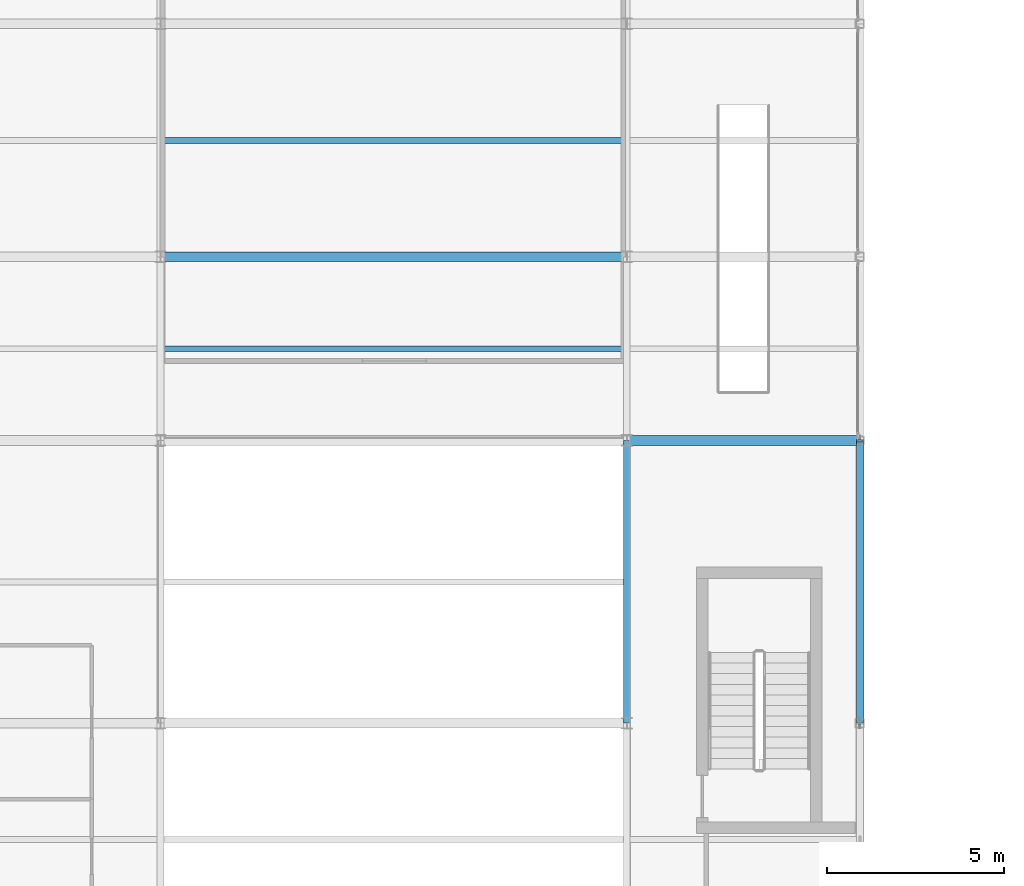
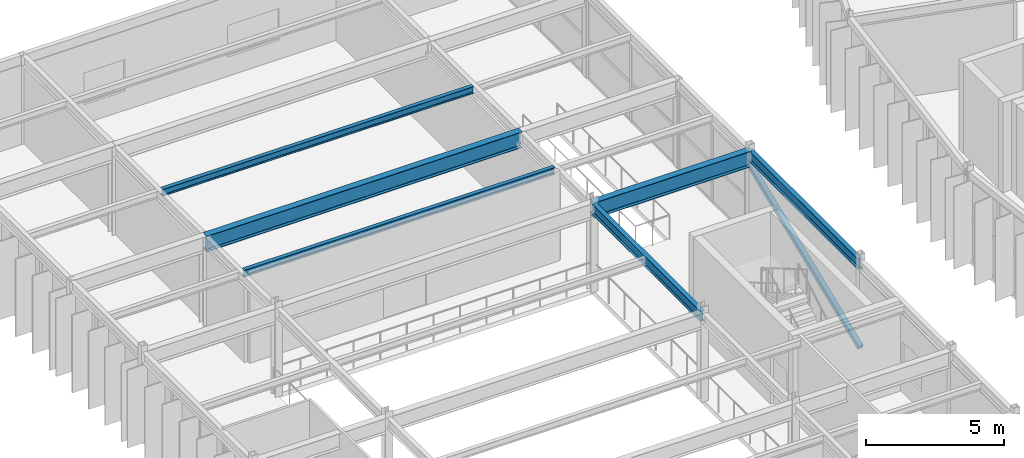
# One storey, part 47 of 157: 6 beams, 1 member.
"""IFC4 building model written with IfcOpenShell, lengths in metres."""

from ifc_helpers import new_model, si_unit, direction, frame, origin, origin_2d, place, context, subcontext, project, spatial, hollow_rectangle, i_section, extrude, material, material_profile, profile_set, type_object, element, save


model = new_model("IFC4")

# Units and contexts
model_context = context("Model", 3, precision=1e-05, world=origin(), true_north=direction((0.0, 1.0)))
body_context = subcontext(model_context, "Body", "Model", "MODEL_VIEW")
ifc_project = project(units=[si_unit("LENGTHUNIT", "METRE"), si_unit("AREAUNIT", "SQUARE_METRE"), si_unit("VOLUMEUNIT", "CUBIC_METRE"), si_unit("PLANEANGLEUNIT", "RADIAN"), si_unit("MASSUNIT", "GRAM", prefix="KILO")], contexts=[model_context])

# Site, building, storey
site_placement = place(None, origin())
site = spatial("IfcSite", under=ifc_project, at=site_placement, CompositionType="ELEMENT")
building_placement = place(site_placement, origin())
building = spatial("IfcBuilding", under=site, at=building_placement, Name="Karori Crest Natural Sciences Institute", CompositionType="ELEMENT")
storey_placement = place(building_placement, frame((0.0, 0.0, 13.300048828125)))
storey = spatial("IfcBuildingStorey", under=building, at=storey_placement, Name="L03", CompositionType="ELEMENT", Elevation=13.300048828125)

# Beams
ifc_material_1 = material(Name="Structural steel AS/NZS 3679.1 Grade 350", Category="steel")
ifc_material_profile_1 = material_profile(ifc_material_1, i_section(OverallWidth=0.27490234375, OverallDepth=0.699951171875, WebThickness=0.010009765625, FlangeThickness=0.02001953125, FilletRadius=0.013916015625, at=origin_2d()), Name="700WB150")
ifc_profile_set_1 = profile_set([ifc_material_profile_1], Name="Structural steel AS/NZS 3679.1 Grade 350")
beam_type_1 = type_object("IfcBeamType", Name="BT-03", PredefinedType="BEAM", material=ifc_profile_set_1)
beam_1_placement = place(storey_placement, frame((20.60009765625, 55.0, 3.570068359375), z_axis=(1.0, 0.0, 0.0), x_axis=(0.0, 1.0, 0.0)))
element("IfcBeam", 1, at=beam_1_placement, inside=storey, type_object=beam_type_1, Name="Beam B-1151", PredefinedType="BEAM", context=body_context, shape_type="SweptSolid", body=[
    extrude(i_section(OverallWidth=0.27490234375, OverallDepth=0.699951171875, WebThickness=0.010009765625, FlangeThickness=0.02001953125, FilletRadius=0.013916015625, at=origin_2d()), origin(), (0.0, 0.0, 1.0), 6.599853515625),
])
beam_2_placement = place(storey_placement, frame((7.39990234375, 60.199951171875, 3.570068359375), z_axis=(1.0, 0.0, 0.0), x_axis=(0.0, 1.0, 0.0)))
element("IfcBeam", 2, at=beam_2_placement, inside=storey, type_object=beam_type_1, Name="Beam B-1153", PredefinedType="BEAM", context=body_context, shape_type="SweptSolid", body=[
    extrude(i_section(OverallWidth=0.27490234375, OverallDepth=0.699951171875, WebThickness=0.010009765625, FlangeThickness=0.02001953125, FilletRadius=0.013916015625, at=origin_2d()), origin(), (0.0, 0.0, 1.0), 13.2001953125),
])
ifc_material_profile_2 = material_profile(ifc_material_1, i_section(OverallWidth=0.19091796875, OverallDepth=0.4599609375, WebThickness=0.010009765625, FlangeThickness=0.01611328125, FilletRadius=0.010986328125, at=origin_2d()), Name="460UB82.1")
ifc_profile_set_2 = profile_set([ifc_material_profile_2], Name="Structural steel AS/NZS 3679.1 Grade 350")
beam_type_2 = type_object("IfcBeamType", Name="BT-06", PredefinedType="BEAM", material=ifc_profile_set_2)
beam_3_placement = place(storey_placement, frame((20.60009765625, 47.0, 3.68994140625), z_axis=(0.0, 1.0, 0.0), x_axis=(-1.0, 0.0, 0.0)))
element("IfcBeam", 3, at=beam_3_placement, inside=storey, type_object=beam_type_2, Name="Beam B-1178", PredefinedType="BEAM", context=body_context, shape_type="SweptSolid", body=[
    extrude(i_section(OverallWidth=0.19091796875, OverallDepth=0.4599609375, WebThickness=0.010009765625, FlangeThickness=0.01611328125, FilletRadius=0.010986328125, at=origin_2d()), origin(), (0.0, 0.0, 1.0), 8.0),
])
ifc_material_profile_3 = material_profile(ifc_material_1, i_section(OverallWidth=0.19091796875, OverallDepth=0.4599609375, WebThickness=0.010009765625, FlangeThickness=0.01611328125, FilletRadius=0.010986328125, at=origin_2d()), Name="460UB82.1")
ifc_profile_set_3 = profile_set([ifc_material_profile_3], Name="Structural steel AS/NZS 3679.1 Grade 350")
beam_type_3 = type_object("IfcBeamType", Name="BT-06-EL", PredefinedType="BEAM", material=ifc_profile_set_3)
beam_4_placement = place(storey_placement, frame((27.199951171875, 47.0, 3.68994140625), z_axis=(0.0, 1.0, 0.0), x_axis=(-1.0, 0.0, 0.0)))
element("IfcBeam", 4, at=beam_4_placement, inside=storey, type_object=beam_type_3, Name="Beam B-1185", PredefinedType="BEAM", context=body_context, shape_type="SweptSolid", body=[
    extrude(i_section(OverallWidth=0.19091796875, OverallDepth=0.4599609375, WebThickness=0.010009765625, FlangeThickness=0.01611328125, FilletRadius=0.010986328125, at=origin_2d()), origin(), (0.0, 0.0, 1.0), 8.0),
])
ifc_material_profile_4 = material_profile(ifc_material_1, i_section(OverallWidth=0.166015625, OverallDepth=0.306884765625, WebThickness=0.006591796875, FlangeThickness=0.01171875, FilletRadius=0.010986328125, at=origin_2d()), Name="310UB46.2")
ifc_profile_set_4 = profile_set([ifc_material_profile_4], Name="Structural steel AS/NZS 3679.1 Grade 350")
beam_type_4 = type_object("IfcBeamType", Name="BT-09", PredefinedType="BEAM", material=ifc_profile_set_4)
for number, where, z_axis, x_axis, name in (
    (5, (7.49560546875, 57.60009765625, 3.766357421875), (1.0, 0.0, 0.0), (0.0, 1.0, 0.0), "Beam B-1198"),
    (6, (7.49560546875, 63.5, 3.766357421875), (1.0, 0.0, 0.0), (0.0, 1.0, 0.0), "Beam B-1199"),
):
    element("IfcBeam", number, at=place(storey_placement, frame(where, z_axis=z_axis, x_axis=x_axis)), inside=storey, type_object=beam_type_4, Name=name, PredefinedType="BEAM", context=body_context, shape_type="SweptSolid", body=[
        extrude(i_section(OverallWidth=0.166015625, OverallDepth=0.306884765625, WebThickness=0.006591796875, FlangeThickness=0.01171875, FilletRadius=0.010986328125, at=origin_2d()), origin(), (0.0, 0.0, 1.0), 13.0087890625),
    ])

# Member
ifc_material_2 = material(Name="Hollow structural steel AS/NZS 1163 Grade C350", Category="steel")
ifc_material_profile_5 = material_profile(ifc_material_2, hollow_rectangle(XDim=0.199951171875, YDim=0.199951171875, WallThickness=0.010009765625, at=origin_2d()), Name="SHS200x200x10")
ifc_profile_set_5 = profile_set([ifc_material_profile_5], Name="Hollow structural steel AS/NZS 1163 Grade C350")
member_type = type_object("IfcMemberType", Name="MT-04", PredefinedType="BRACE", material=ifc_profile_set_5)
member_placement = place(storey_placement, frame((27.199951171875, 47.0, 0.010009765625), z_axis=(0.0, 0.927675995403, 0.373386190899), x_axis=(-1.0, 0.0, 0.0)))
element("IfcMember", 7, at=member_placement, inside=storey, type_object=member_type, Name="Diagonal Brace M-0258", PredefinedType="BRACE", context=body_context, shape_type="SweptSolid", body=[
    extrude(hollow_rectangle(XDim=0.199951171875, YDim=0.199951171875, WallThickness=0.010009765625, at=origin_2d()), origin(), (0.0, 0.0, 1.0), 8.623779296875),
])

save(model, "model.ifc")
